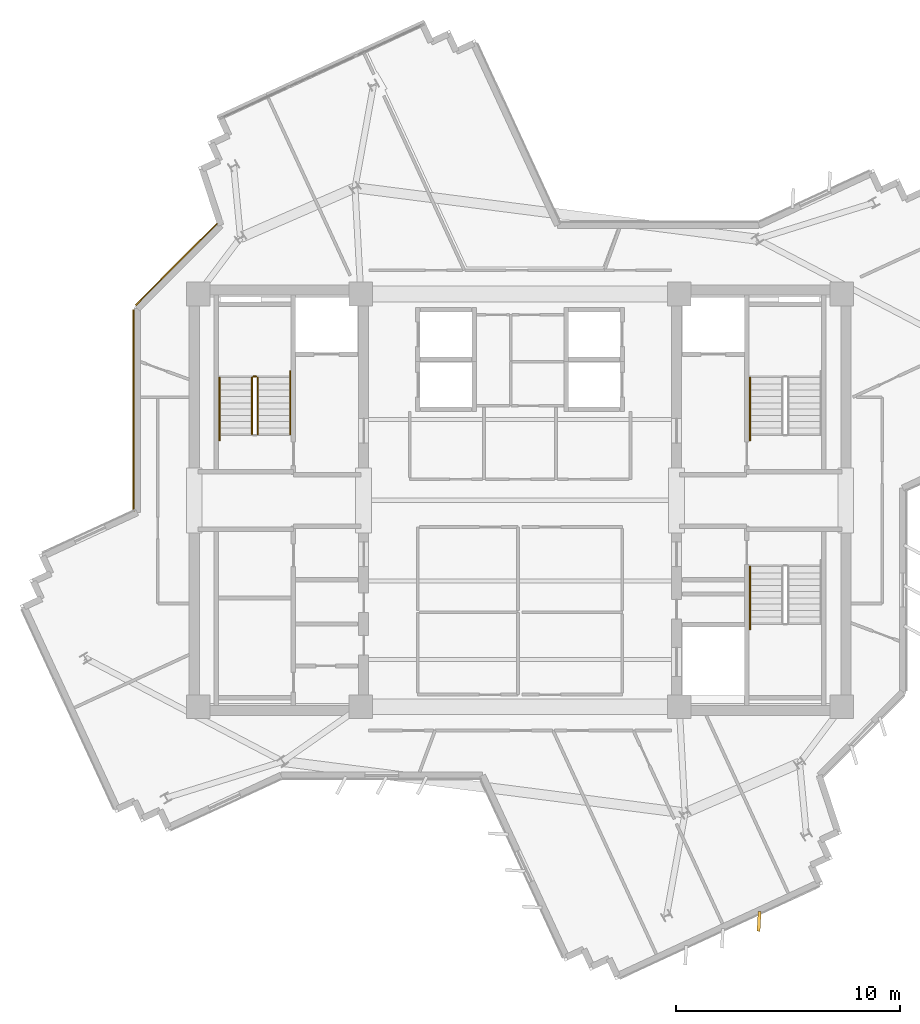
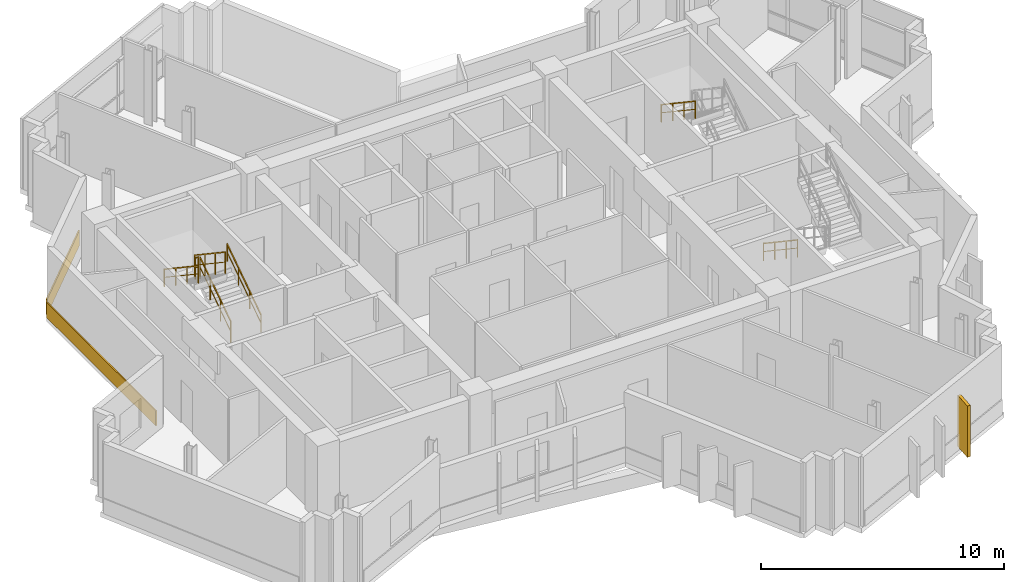
# One storey, part 11 of 12: 7 railings, 3 coverings.
"""IFC4 building model written with IfcOpenShell, lengths in metres."""

from ifc_helpers import new_model, si_unit, direction, frame, origin, origin_2d, place, context, subcontext, project, spatial, rectangle, extrude, source, transform, mapped, material, layer, layer_set, type_object, element, save


model = new_model("IFC4")

# Units and contexts
model_context = context("Model", 3, precision=1e-05, world=origin(), true_north=direction((0.0, 1.0)))
body_context = subcontext(model_context, "Body", "Model", "MODEL_VIEW")
ifc_project = project(units=[si_unit("LENGTHUNIT", "METRE"), si_unit("AREAUNIT", "SQUARE_METRE"), si_unit("VOLUMEUNIT", "CUBIC_METRE"), si_unit("PLANEANGLEUNIT", "RADIAN"), si_unit("MASSUNIT", "GRAM", prefix="KILO")], contexts=[model_context])

# Site, building, storey
site_placement = place(None, origin())
site = spatial("IfcSite", under=ifc_project, at=site_placement, CompositionType="ELEMENT")
building_placement = place(site_placement, origin())
building = spatial("IfcBuilding", under=site, at=building_placement, Name="Zahravan Cultural Tower", CompositionType="ELEMENT")
storey_placement = place(building_placement, frame((0.0, 0.0, 246.60009765625)))
storey = spatial("IfcBuildingStorey", under=building, at=storey_placement, Name="L58", CompositionType="ELEMENT", Elevation=246.60009765625)

# Railings
ifc_material_1 = material(Name="Steel ASTM A572 Grade 50", Category="steel")
railing_type_1 = type_object("IfcRailingType", Name="RL-STAIR-GRD1150", PredefinedType="BALUSTRADE", material=ifc_material_1)
railing_1_placement = place(storey_placement, frame((24.300048828125, 29.949951171875, 0.1875)))
element("IfcRailing", 1, at=railing_1_placement, inside=storey, type_object=railing_type_1, Name="L58 ST-W1 stair guard 1", PredefinedType="BALUSTRADE", context=body_context, shape_type="SweptSolid", body=[
    extrude(rectangle(XDim=0.05, YDim=0.05, at=origin_2d()), frame((0.0, 0.0, 1.0751953125), z_axis=(0.0, 0.830909170722, 0.55640807867), x_axis=(-1.0, 0.0, 0.0)), (0.0, 0.0, 1.0), 3.032958984375),
    extrude(rectangle(XDim=0.032, YDim=0.032, at=origin_2d()), frame((0.0, 0.0, 0.572021484375), z_axis=(0.0, 0.830909170722, 0.55640807867), x_axis=(-1.0, 0.0, 0.0)), (0.0, 0.0, 1.0), 3.032958984375),
    extrude(rectangle(XDim=0.04, YDim=0.04, at=origin_2d()), origin(), (0.0, 0.0, 1.0), 1.10009765625),
    extrude(rectangle(XDim=0.04, YDim=0.04, at=origin_2d()), frame((0.0, 0.840087890625, 0.5625)), (0.0, 0.0, 1.0), 1.10009765625),
    extrude(rectangle(XDim=0.04, YDim=0.04, at=origin_2d()), frame((0.0, 1.679931640625, 1.125)), (0.0, 0.0, 1.0), 1.10009765625),
    extrude(rectangle(XDim=0.04, YDim=0.04, at=origin_2d()), frame((0.0, 2.52001953125, 1.6875)), (0.0, 0.0, 1.0), 1.10009765625),
])
railing_2_placement = place(storey_placement, frame((24.25, 32.52001953125, 1.875)))
element("IfcRailing", 2, at=railing_2_placement, inside=storey, type_object=railing_type_1, Name="L58 ST-W1 stair guard 2", PredefinedType="BALUSTRADE", context=body_context, shape_type="SweptSolid", body=[
    extrude(rectangle(XDim=0.05, YDim=0.05, at=origin_2d()), frame((0.0, 0.0, 1.0751953125), z_axis=(-1.0, 0.0, 0.0), x_axis=(0.0, -1.0, 0.0)), (0.0, 0.0, 1.0), 0.14990234375),
    extrude(rectangle(XDim=0.032, YDim=0.032, at=origin_2d()), frame((0.0, 0.0, 0.572021484375), z_axis=(-1.0, 0.0, 0.0), x_axis=(0.0, -1.0, 0.0)), (0.0, 0.0, 1.0), 0.14990234375),
    extrude(rectangle(XDim=0.04, YDim=0.04, at=origin_2d()), origin(), (0.0, 0.0, 1.0), 1.10009765625),
    extrude(rectangle(XDim=0.04, YDim=0.04, at=origin_2d()), frame((-0.14990234375, 0.0, 0.0)), (0.0, 0.0, 1.0), 1.10009765625),
])
railing_3_placement = place(storey_placement, frame((24.050048828125, 32.469970703125, 2.0625)))
element("IfcRailing", 3, at=railing_3_placement, inside=storey, type_object=railing_type_1, Name="L58 ST-W1 stair guard 3", PredefinedType="BALUSTRADE", context=body_context, shape_type="SweptSolid", body=[
    extrude(rectangle(XDim=0.05, YDim=0.05, at=origin_2d()), frame((0.0, 0.0, 1.0751953125), z_axis=(0.0, -0.830909170722, 0.55640807867), x_axis=(1.0, 0.0, 0.0)), (0.0, 0.0, 1.0), 3.032958984375),
    extrude(rectangle(XDim=0.032, YDim=0.032, at=origin_2d()), frame((0.0, 0.0, 0.572021484375), z_axis=(0.0, -0.830909170722, 0.55640807867), x_axis=(1.0, 0.0, 0.0)), (0.0, 0.0, 1.0), 3.032958984375),
    extrude(rectangle(XDim=0.04, YDim=0.04, at=origin_2d()), origin(), (0.0, 0.0, 1.0), 1.10009765625),
    extrude(rectangle(XDim=0.04, YDim=0.04, at=origin_2d()), frame((0.0, -0.840087890625, 0.5625)), (0.0, 0.0, 1.0), 1.10009765625),
    extrude(rectangle(XDim=0.04, YDim=0.04, at=origin_2d()), frame((0.0, -1.679931640625, 1.125)), (0.0, 0.0, 1.0), 1.10009765625),
    extrude(rectangle(XDim=0.04, YDim=0.04, at=origin_2d()), frame((0.0, -2.52001953125, 1.6875)), (0.0, 0.0, 1.0), 1.10009765625),
])
railing_type_2 = type_object("IfcRailingType", Name="RL-STAIR-HR900", PredefinedType="HANDRAIL", material=ifc_material_1)
railing_4_placement = place(storey_placement, frame((25.75, 29.949951171875, 0.1875)))
element("IfcRailing", 4, at=railing_4_placement, inside=storey, type_object=railing_type_2, Name="L58 ST-W1 stair handrail 1", PredefinedType="HANDRAIL", context=body_context, shape_type="SweptSolid", body=[
    extrude(rectangle(XDim=0.05, YDim=0.05, at=origin_2d()), frame((0.0, 0.0, 0.875), z_axis=(0.0, 0.830911662861, 0.55640435703), x_axis=(-1.0, 0.0, 0.0)), (0.0, 0.0, 1.0), 3.369873046875),
    extrude(rectangle(XDim=0.032, YDim=0.032, at=origin_2d()), frame((0.0, 0.0, 0.468017578125), z_axis=(0.0, 0.830911662861, 0.55640435703), x_axis=(-1.0, 0.0, 0.0)), (0.0, 0.0, 1.0), 3.369873046875),
    extrude(rectangle(XDim=0.04, YDim=0.04, at=origin_2d()), origin(), (0.0, 0.0, 1.0), 0.89990234375),
    extrude(rectangle(XDim=0.04, YDim=0.04, at=origin_2d()), frame((0.0, 0.933349609375, 0.625)), (0.0, 0.0, 1.0), 0.89990234375),
    extrude(rectangle(XDim=0.04, YDim=0.04, at=origin_2d()), frame((0.0, 1.86669921875, 1.25)), (0.0, 0.0, 1.0), 0.89990234375),
    extrude(rectangle(XDim=0.04, YDim=0.04, at=origin_2d()), frame((0.0, 2.800048828125, 1.875)), (0.0, 0.0, 1.0), 0.89990234375),
])
for number, where, name in (
    (5, (22.60009765625, 32.469970703125, 2.0625), "L58 ST-W1 stair handrail 2"),
    (6, (46.25, 32.469970703125, 2.0625), "L58 ST-E1 stair handrail 2"),
    (7, (46.25, 24.050048828125, 0.1875), "L58 ST-E2 stair handrail 1"),
):
    element("IfcRailing", number, at=place(storey_placement, frame(where)), inside=storey, type_object=railing_type_2, Name=name, PredefinedType="HANDRAIL", context=body_context, shape_type="SweptSolid", body=[
        extrude(rectangle(XDim=0.05, YDim=0.05, at=origin_2d()), frame((0.0, 0.0, 0.875), z_axis=(0.0, -0.830911662861, 0.55640435703), x_axis=(1.0, 0.0, 0.0)), (0.0, 0.0, 1.0), 3.369873046875),
        extrude(rectangle(XDim=0.032, YDim=0.032, at=origin_2d()), frame((0.0, 0.0, 0.468017578125), z_axis=(0.0, -0.830911662861, 0.55640435703), x_axis=(1.0, 0.0, 0.0)), (0.0, 0.0, 1.0), 3.369873046875),
        extrude(rectangle(XDim=0.04, YDim=0.04, at=origin_2d()), origin(), (0.0, 0.0, 1.0), 0.89990234375),
        extrude(rectangle(XDim=0.04, YDim=0.04, at=origin_2d()), frame((0.0, -0.933349609375, 0.625)), (0.0, 0.0, 1.0), 0.89990234375),
        extrude(rectangle(XDim=0.04, YDim=0.04, at=origin_2d()), frame((0.0, -1.86669921875, 1.25)), (0.0, 0.0, 1.0), 0.89990234375),
        extrude(rectangle(XDim=0.04, YDim=0.04, at=origin_2d()), frame((0.0, -2.800048828125, 1.875)), (0.0, 0.0, 1.0), 0.89990234375),
    ])

# Coverings
ifc_material_2 = material(Name="Terracotta ceramic cladding", Category="masonry")
ifc_layer = layer(ifc_material_2, 0.06005859375)
ifc_layer_set = layer_set([ifc_layer], Name="Terracotta ceramic cladding")
covering_type = type_object("IfcCoveringType", Name="COV-CLAD-TC60", PredefinedType="CLADDING", material=ifc_layer_set)
shared_shape_1 = source(origin(), body_context, "Body", "SweptSolid", [
    extrude(rectangle(XDim=5.157958984375, YDim=0.06005859375, at=origin_2d()), origin(), (0.0, 0.0, 1.0), 0.760009765625),
])
covering_1_placement = place(storey_placement, frame((20.682373046875, 37.517578125, 0.02001953125), z_axis=(0.0, 0.0, 1.0), x_axis=(0.707106781187, 0.707106781187, 0.0)))
element("IfcCovering", 8, at=covering_1_placement, inside=storey, type_object=covering_type, Name="L58 Terracotta Spandrel Cladding 37", PredefinedType="CLADDING", context=body_context, shape_type="MappedRepresentation", body=[
    mapped(shared_shape_1, transform((0.0, 0.0, 0.0), x_axis=(1.0, 0.0, 0.0), y_axis=(0.0, 1.0, 0.0), z_axis=(0.0, 0.0, 1.0), scale=1.0)),
])
shared_shape_2 = source(origin(), body_context, "Body", "SweptSolid", [
    extrude(rectangle(XDim=0.8798828125, YDim=0.139892578125, at=origin_2d()), origin(), (0.0, 0.0, 1.0), 2.580078125),
])
covering_2_placement = place(storey_placement, frame((46.656494140625, 8.228759765625, 0.0498046875), z_axis=(0.0, 0.0, 1.0), x_axis=(-0.055821504993, -0.998440764182, 0.0)))
element("IfcCovering", 9, at=covering_2_placement, inside=storey, type_object=covering_type, Name="L58 Herringbone Terracotta Fin 09", PredefinedType="CLADDING", context=body_context, shape_type="MappedRepresentation", body=[
    mapped(shared_shape_2, transform((0.0, 0.0, 0.0), x_axis=(1.0, 0.0, 0.0), y_axis=(0.0, 1.0, 0.0), z_axis=(0.0, 0.0, 1.0), scale=1.0)),
])
shared_shape_3 = source(origin(), body_context, "Body", "SweptSolid", [
    extrude(rectangle(XDim=8.98828125, YDim=0.06005859375, at=origin_2d()), origin(), (0.0, 0.0, 1.0), 0.760009765625),
])
covering_3_placement = place(storey_placement, frame((18.77490234375, 30.997802734375, 0.02001953125), z_axis=(0.0, 0.0, 1.0), x_axis=(0.0, 1.0, 0.0)))
element("IfcCovering", 10, at=covering_3_placement, inside=storey, type_object=covering_type, Name="L58 Terracotta Spandrel Cladding 36", PredefinedType="CLADDING", context=body_context, shape_type="MappedRepresentation", body=[
    mapped(shared_shape_3, transform((0.0, 0.0, 0.0), x_axis=(1.0, 0.0, 0.0), y_axis=(0.0, 1.0, 0.0), z_axis=(0.0, 0.0, 1.0), scale=1.0)),
])

save(model, "model.ifc")
